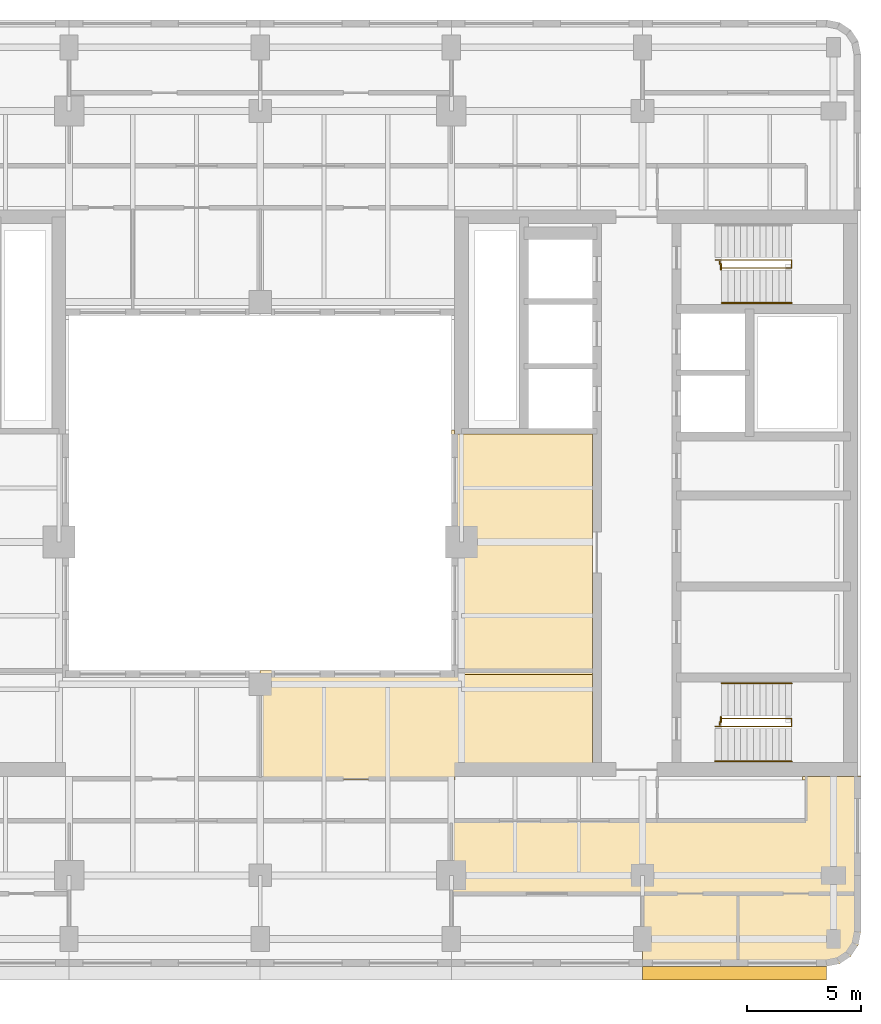
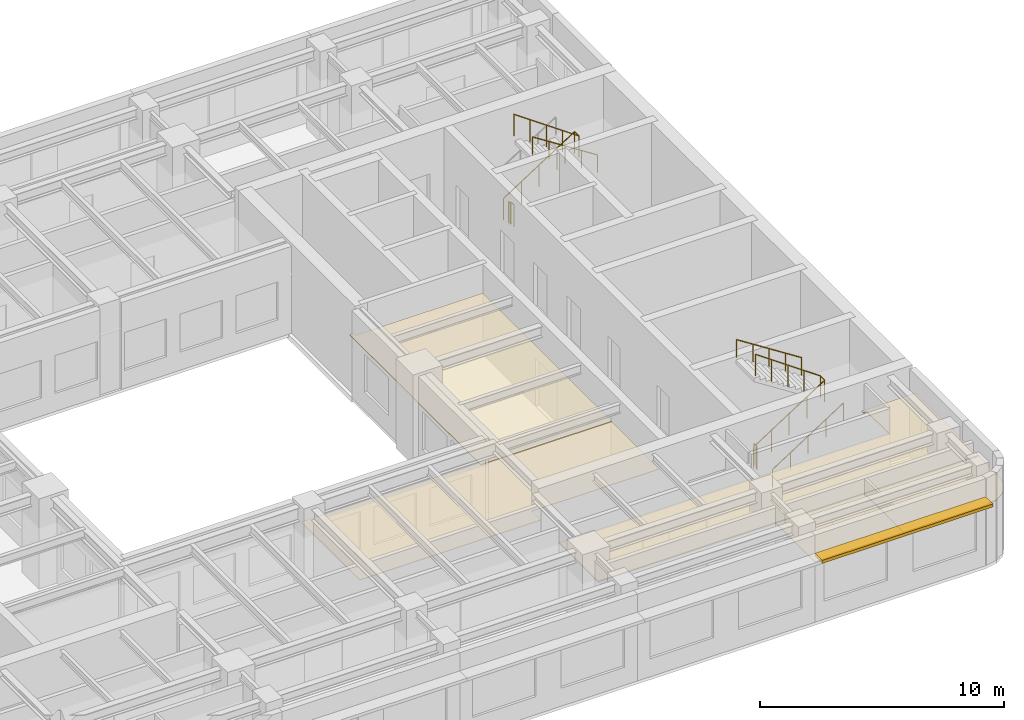
# One storey, part 10 of 11: 7 railings, 5 coverings, 1 shading device.
"""IFC4 building model written with IfcOpenShell, lengths in metres."""

from ifc_helpers import new_model, si_unit, direction, frame, origin, origin_2d, place, context, subcontext, project, spatial, polyline, rectangle, circle, outline, extrude, material, layer, layer_set, type_object, element, save


model = new_model("IFC4")

# Units and contexts
model_context = context("Model", 3, precision=1e-05, world=origin(), true_north=direction((0.0, 1.0)))
body_context = subcontext(model_context, "Body", "Model", "MODEL_VIEW")
ifc_project = project(units=[si_unit("LENGTHUNIT", "METRE"), si_unit("AREAUNIT", "SQUARE_METRE"), si_unit("VOLUMEUNIT", "CUBIC_METRE"), si_unit("PLANEANGLEUNIT", "RADIAN"), si_unit("MASSUNIT", "GRAM", prefix="KILO")], contexts=[model_context])

# Site, building, storey
site_placement = place(None, origin())
site = spatial("IfcSite", under=ifc_project, at=site_placement, CompositionType="ELEMENT")
building_placement = place(site_placement, origin())
building = spatial("IfcBuilding", under=site, at=building_placement, Name="Claustro Exchange Tower", CompositionType="ELEMENT")
storey_placement = place(building_placement, frame((0.0, 0.0, 259.199951171875)))
storey = spatial("IfcBuildingStorey", under=building, at=storey_placement, Name="L59", CompositionType="ELEMENT", Elevation=259.199951171875)

# Coverings
ifc_material_1 = material(Name="Gypsum board ceiling", Category="gypsum board")
ifc_layer_1 = layer(ifc_material_1, 0.02490234375)
ifc_layer_set_1 = layer_set([ifc_layer_1], Name="Gypsum board ceiling")
covering_type_1 = type_object("IfcCoveringType", Name="CL2 plasterboard ceiling", PredefinedType="CEILING", material=ifc_layer_set_1)
covering_1_placement = place(storey_placement, frame((0.0, 0.0, 3.0)))
element("IfcCovering", 1, at=covering_1_placement, inside=storey, type_object=covering_type_1, Name="Ceiling CL2 L59-06", PredefinedType="CEILING", context=body_context, shape_type="SweptSolid", body=[
    extrude(outline(polyline([(42.0, 4.39990234375), (46.199951171875, 4.39990234375), (46.199951171875, 7.60009765625), (42.0, 7.60009765625), (42.0, 4.39990234375)])), origin(), (0.0, 0.0, 1.0), 0.025146484375),
])
covering_2_placement = place(storey_placement, frame((0.0, 0.0, 3.0)))
element("IfcCovering", 2, at=covering_2_placement, inside=storey, type_object=covering_type_1, Name="Ceiling CL2 L59-07", PredefinedType="CEILING", context=body_context, shape_type="SweptSolid", body=[
    extrude(outline(polyline([(51.60009765625, 5.89990234375), (51.60009765625, 7.60009765625), (46.199951171875, 7.60009765625), (46.199951171875, 4.39990234375), (50.10009765625, 4.39990234375), (50.674072265625, 4.51416015625), (51.16064453125, 4.83935546875), (51.48583984375, 5.325927734375), (51.60009765625, 5.89990234375)])), origin(), (0.0, 0.0, 1.0), 0.025146484375),
])
covering_3_placement = place(storey_placement, frame((0.0, 0.0, 3.0)))
element("IfcCovering", 3, at=covering_3_placement, inside=storey, type_object=covering_type_1, Name="Ceiling CL2 L59-14", PredefinedType="CEILING", context=body_context, shape_type="SweptSolid", body=[
    extrude(outline(polyline([(39.800048828125, 13.330078125), (39.800048828125, 17.570068359375), (33.60009765625, 17.570068359375), (33.60009765625, 17.39990234375), (25.199951171875, 17.39990234375), (25.199951171875, 12.60009765625), (33.77001953125, 12.60009765625), (33.77001953125, 13.330078125), (39.800048828125, 13.330078125)])), origin(), (0.0, 0.0, 1.0), 0.025146484375),
])
ifc_material_2 = material(Name="Oak slats on acoustic backing", Category="wood")
ifc_layer_2 = layer(ifc_material_2, 0.050048828125)
ifc_layer_set_2 = layer_set([ifc_layer_2], Name="Oak slats on acoustic backing")
covering_type_2 = type_object("IfcCoveringType", Name="CL3 timber slat ceiling", PredefinedType="CEILING", material=ifc_layer_set_2)
covering_4_placement = place(storey_placement, frame((0.0, 0.0, 3.0)))
element("IfcCovering", 4, at=covering_4_placement, inside=storey, type_object=covering_type_2, Name="Ceiling CL3 L59-10", PredefinedType="CEILING", context=body_context, shape_type="SweptSolid", body=[
    extrude(outline(polyline([(51.60009765625, 7.60009765625), (51.60009765625, 12.77001953125), (51.449951171875, 12.77001953125), (51.449951171875, 12.75), (49.030029296875, 12.75), (49.030029296875, 12.60009765625), (49.199951171875, 12.60009765625), (49.199951171875, 10.800048828125), (33.60009765625, 10.800048828125), (33.60009765625, 7.60009765625), (51.60009765625, 7.60009765625)])), origin(), (0.0, 0.0, 1.0), 0.050048828125),
])
covering_5_placement = place(storey_placement, frame((0.0, 0.0, 3.0)))
element("IfcCovering", 5, at=covering_5_placement, inside=storey, type_object=covering_type_2, Name="Ceiling CL3 L59-16", PredefinedType="CEILING", context=body_context, shape_type="SweptSolid", body=[
    extrude(outline(polyline([(33.60009765625, 27.969970703125), (33.60009765625, 17.22998046875), (39.800048828125, 17.22998046875), (39.800048828125, 27.800048828125), (33.75, 27.800048828125), (33.75, 27.969970703125), (33.60009765625, 27.969970703125)])), origin(), (0.0, 0.0, 1.0), 0.050048828125),
])

# Railings
ifc_material_3 = material(Name="Steel balustrade, painted", Category="steel")
railing_type_1 = type_object("IfcRailingType", Name="GR2 1100 steel stair guard", PredefinedType="GUARDRAIL", material=ifc_material_3)
railing_1_placement = place(storey_placement, frame((45.199951171875, 14.949951171875, 0.179931640625)))
element("IfcRailing", 6, at=railing_1_placement, inside=storey, type_object=railing_type_1, Name="Stair well guard GR2 stair STEA L59", PredefinedType="GUARDRAIL", context=body_context, shape_type="SweptSolid", body=[
    extrude(circle(Radius=0.02392578125, at=origin_2d()), frame((0.0, 0.0, 1.076171875), z_axis=(0.8411685463, 0.0, 0.540773036232), x_axis=(0.0, 1.0, 0.0)), (0.0, 0.0, 1.0), 3.99462890625),
    extrude(circle(Radius=0.02392578125, at=origin_2d()), frame((3.360107421875, 0.0, 3.236328125), z_axis=(0.0, 1.0, 0.0), x_axis=(-1.0, 0.0, 0.0)), (0.0, 0.0, 1.0), 0.35009765625),
    extrude(circle(Radius=0.02392578125, at=origin_2d()), frame((3.360107421875, 0.35009765625, 3.236328125), z_axis=(-0.8187499073, 0.0, 0.574150319426), x_axis=(0.0, -1.0, 0.0)), (0.0, 0.0, 1.0), 3.761962890625),
    extrude(circle(Radius=0.02099609375, at=origin_2d()), origin(), (0.0, 0.0, 1.0), 1.052001953125),
    extrude(circle(Radius=0.02099609375, at=origin_2d()), frame((0.840087890625, 0.0, 0.5400390625)), (0.0, 0.0, 1.0), 1.052001953125),
    extrude(circle(Radius=0.02099609375, at=origin_2d()), frame((1.68017578125, 0.0, 1.080078125)), (0.0, 0.0, 1.0), 1.052001953125),
    extrude(circle(Radius=0.02099609375, at=origin_2d()), frame((2.52001953125, 0.0, 1.6201171875)), (0.0, 0.0, 1.0), 1.052001953125),
    extrude(circle(Radius=0.02099609375, at=origin_2d()), frame((3.360107421875, 0.0, 2.16015625)), (0.0, 0.0, 1.0), 1.052001953125),
    extrude(circle(Radius=0.02099609375, at=origin_2d()), frame((3.360107421875, 0.35009765625, 2.16015625)), (0.0, 0.0, 1.0), 1.052001953125),
    extrude(circle(Radius=0.02099609375, at=origin_2d()), frame((2.590087890625, 0.35009765625, 2.7001953125)), (0.0, 0.0, 1.0), 1.052001953125),
    extrude(circle(Radius=0.02099609375, at=origin_2d()), frame((1.820068359375, 0.35009765625, 3.240234375)), (0.0, 0.0, 1.0), 1.052001953125),
    extrude(circle(Radius=0.02099609375, at=origin_2d()), frame((1.050048828125, 0.35009765625, 3.780029296875)), (0.0, 0.0, 1.0), 1.052001953125),
    extrude(circle(Radius=0.02099609375, at=origin_2d()), frame((0.280029296875, 0.35009765625, 4.320068359375)), (0.0, 0.0, 1.0), 1.052001953125),
])
railing_2_placement = place(storey_placement, frame((45.39990234375, 15.02001953125, 0.0)))
element("IfcRailing", 7, at=railing_2_placement, inside=storey, type_object=railing_type_1, Name="Stair guard GR2 STEA L59", PredefinedType="GUARDRAIL", context=body_context, shape_type="SweptSolid", body=[
    extrude(circle(Radius=0.02392578125, at=origin_2d()), frame((0.0, 0.0, 1.076171875), z_axis=(0.0, 1.0, 0.0), x_axis=(-1.0, 0.0, 0.0)), (0.0, 0.0, 1.0), 0.10498046875),
    extrude(circle(Radius=0.02392578125, at=origin_2d()), frame((0.0, 0.10498046875, 1.076171875), z_axis=(1.0, 0.0, 0.0), x_axis=(0.0, 1.0, 0.0)), (0.0, 0.0, 1.0), 0.05517578125),
    extrude(circle(Radius=0.02392578125, at=origin_2d()), frame((0.05517578125, 0.10498046875, 1.076171875), z_axis=(0.0, 1.0, 0.0), x_axis=(-1.0, 0.0, 0.0)), (0.0, 0.0, 1.0), 0.2548828125),
    extrude(circle(Radius=0.02099609375, at=origin_2d()), origin(), (0.0, 0.0, 1.0), 1.052001953125),
    extrude(circle(Radius=0.02099609375, at=origin_2d()), frame((0.0, 0.10498046875, 0.0)), (0.0, 0.0, 1.0), 1.052001953125),
    extrude(circle(Radius=0.02099609375, at=origin_2d()), frame((0.05517578125, 0.10498046875, 0.0)), (0.0, 0.0, 1.0), 1.052001953125),
    extrude(circle(Radius=0.02099609375, at=origin_2d()), frame((0.05517578125, 0.35986328125, 0.0)), (0.0, 0.0, 1.0), 1.052001953125),
])
railing_3_placement = place(storey_placement, frame((45.199951171875, 35.449951171875, 0.179931640625)))
element("IfcRailing", 8, at=railing_3_placement, inside=storey, type_object=railing_type_1, Name="Stair well guard GR2 stair STEB L59", PredefinedType="GUARDRAIL", context=body_context, shape_type="SweptSolid", body=[
    extrude(circle(Radius=0.02392578125, at=origin_2d()), frame((0.0, 0.0, 1.076171875), z_axis=(0.8411685463, 0.0, 0.540773036232), x_axis=(0.0, 1.0, 0.0)), (0.0, 0.0, 1.0), 3.99462890625),
    extrude(circle(Radius=0.02392578125, at=origin_2d()), frame((3.360107421875, 0.0, 3.236328125), z_axis=(0.0, -1.0, 0.0), x_axis=(1.0, 0.0, 0.0)), (0.0, 0.0, 1.0), 0.349853515625),
    extrude(circle(Radius=0.02392578125, at=origin_2d()), frame((3.360107421875, -0.349853515625, 3.236328125), z_axis=(-0.8187499073, 0.0, 0.574150319426), x_axis=(0.0, -1.0, 0.0)), (0.0, 0.0, 1.0), 3.761962890625),
    extrude(circle(Radius=0.02099609375, at=origin_2d()), origin(), (0.0, 0.0, 1.0), 1.052001953125),
    extrude(circle(Radius=0.02099609375, at=origin_2d()), frame((0.840087890625, 0.0, 0.5400390625)), (0.0, 0.0, 1.0), 1.052001953125),
    extrude(circle(Radius=0.02099609375, at=origin_2d()), frame((1.68017578125, 0.0, 1.080078125)), (0.0, 0.0, 1.0), 1.052001953125),
    extrude(circle(Radius=0.02099609375, at=origin_2d()), frame((2.52001953125, 0.0, 1.6201171875)), (0.0, 0.0, 1.0), 1.052001953125),
    extrude(circle(Radius=0.02099609375, at=origin_2d()), frame((3.360107421875, 0.0, 2.16015625)), (0.0, 0.0, 1.0), 1.052001953125),
    extrude(circle(Radius=0.02099609375, at=origin_2d()), frame((3.360107421875, -0.349853515625, 2.16015625)), (0.0, 0.0, 1.0), 1.052001953125),
    extrude(circle(Radius=0.02099609375, at=origin_2d()), frame((2.590087890625, -0.349853515625, 2.7001953125)), (0.0, 0.0, 1.0), 1.052001953125),
    extrude(circle(Radius=0.02099609375, at=origin_2d()), frame((1.820068359375, -0.349853515625, 3.240234375)), (0.0, 0.0, 1.0), 1.052001953125),
    extrude(circle(Radius=0.02099609375, at=origin_2d()), frame((1.050048828125, -0.349853515625, 3.780029296875)), (0.0, 0.0, 1.0), 1.052001953125),
    extrude(circle(Radius=0.02099609375, at=origin_2d()), frame((0.280029296875, -0.349853515625, 4.320068359375)), (0.0, 0.0, 1.0), 1.052001953125),
])
railing_4_placement = place(storey_placement, frame((45.39990234375, 35.3798828125, 0.0)))
element("IfcRailing", 9, at=railing_4_placement, inside=storey, type_object=railing_type_1, Name="Stair guard GR2 STEB L59", PredefinedType="GUARDRAIL", context=body_context, shape_type="SweptSolid", body=[
    extrude(circle(Radius=0.02392578125, at=origin_2d()), frame((0.0, 0.0, 1.076171875), z_axis=(0.0, -1.0, 0.0), x_axis=(1.0, 0.0, 0.0)), (0.0, 0.0, 1.0), 0.10498046875),
    extrude(circle(Radius=0.02392578125, at=origin_2d()), frame((0.0, -0.10498046875, 1.076171875), z_axis=(1.0, 0.0, 0.0), x_axis=(0.0, 1.0, 0.0)), (0.0, 0.0, 1.0), 0.05517578125),
    extrude(circle(Radius=0.02392578125, at=origin_2d()), frame((0.05517578125, -0.10498046875, 1.076171875), z_axis=(0.0, -1.0, 0.0), x_axis=(1.0, 0.0, 0.0)), (0.0, 0.0, 1.0), 0.2548828125),
    extrude(circle(Radius=0.02099609375, at=origin_2d()), origin(), (0.0, 0.0, 1.0), 1.052001953125),
    extrude(circle(Radius=0.02099609375, at=origin_2d()), frame((0.0, -0.10498046875, 0.0)), (0.0, 0.0, 1.0), 1.052001953125),
    extrude(circle(Radius=0.02099609375, at=origin_2d()), frame((0.05517578125, -0.10498046875, 0.0)), (0.0, 0.0, 1.0), 1.052001953125),
    extrude(circle(Radius=0.02099609375, at=origin_2d()), frame((0.05517578125, -0.35986328125, 0.0)), (0.0, 0.0, 1.0), 1.052001953125),
])
ifc_material_4 = material(Name="Stainless steel tube", Category="steel")
railing_type_2 = type_object("IfcRailingType", Name="HR1 900 stair handrail", PredefinedType="HANDRAIL", material=ifc_material_4)
railing_5_placement = place(storey_placement, frame((45.199951171875, 13.409912109375, 0.179931640625)))
element("IfcRailing", 10, at=railing_5_placement, inside=storey, type_object=railing_type_2, Name="Handrail HR1 stair STEA L59", PredefinedType="HANDRAIL", context=body_context, shape_type="SweptSolid", body=[
    extrude(circle(Radius=0.02392578125, at=origin_2d()), frame((0.0, 0.0, 0.8759765625), z_axis=(0.8411685463, 0.0, 0.540773036232), x_axis=(0.0, 1.0, 0.0)), (0.0, 0.0, 1.0), 3.99462890625),
    extrude(circle(Radius=0.02099609375, at=origin_2d()), origin(), (0.0, 0.0, 1.0), 0.851806640625),
    extrude(circle(Radius=0.02099609375, at=origin_2d()), frame((0.840087890625, 0.0, 0.5400390625)), (0.0, 0.0, 1.0), 0.851806640625),
    extrude(circle(Radius=0.02099609375, at=origin_2d()), frame((1.68017578125, 0.0, 1.080078125)), (0.0, 0.0, 1.0), 0.851806640625),
    extrude(circle(Radius=0.02099609375, at=origin_2d()), frame((2.52001953125, 0.0, 1.6201171875)), (0.0, 0.0, 1.0), 0.851806640625),
    extrude(circle(Radius=0.02099609375, at=origin_2d()), frame((3.360107421875, 0.0, 2.16015625)), (0.0, 0.0, 1.0), 0.851806640625),
])
for number, where, name in (
    (11, (48.56005859375, 16.840087890625, 2.52001953125), "Handrail HR1 stair STEA L59"),
    (12, (48.56005859375, 33.56005859375, 2.52001953125), "Handrail HR1 stair STEB L59"),
):
    element("IfcRailing", number, at=place(storey_placement, frame(where)), inside=storey, type_object=railing_type_2, Name=name, PredefinedType="HANDRAIL", context=body_context, shape_type="SweptSolid", body=[
        extrude(circle(Radius=0.02392578125, at=origin_2d()), frame((0.0, 0.0, 0.8759765625), z_axis=(-0.84118714077, 0.0, 0.540744111576), x_axis=(0.0, -1.0, 0.0)), (0.0, 0.0, 1.0), 3.66162109375),
        extrude(circle(Radius=0.02099609375, at=origin_2d()), origin(), (0.0, 0.0, 1.0), 0.851806640625),
        extrude(circle(Radius=0.02099609375, at=origin_2d()), frame((-0.77001953125, 0.0, 0.4951171875)), (0.0, 0.0, 1.0), 0.851806640625),
        extrude(circle(Radius=0.02099609375, at=origin_2d()), frame((-1.5400390625, 0.0, 0.989990234375)), (0.0, 0.0, 1.0), 0.851806640625),
        extrude(circle(Radius=0.02099609375, at=origin_2d()), frame((-2.31005859375, 0.0, 1.48486328125)), (0.0, 0.0, 1.0), 0.851806640625),
        extrude(circle(Radius=0.02099609375, at=origin_2d()), frame((-3.080078125, 0.0, 1.97998046875)), (0.0, 0.0, 1.0), 0.851806640625),
    ])

# Shading device
ifc_material_5 = material(Name="Concrete HA-40 (C40/50), precast, white cement, acid-etched", Category="concrete")
ifc_layer_3 = layer(ifc_material_5, 0.14990234375)
ifc_layer_set_3 = layer_set([ifc_layer_3], Name="Concrete HA-40 (C40/50), precast, white cement, acid-etched")
shading_device_type = type_object("IfcShadingDeviceType", Name="SS1 600 precast concrete SUNSHADE", PredefinedType="SHUTTER", material=ifc_layer_set_3)
shading_device_placement = place(storey_placement, frame((46.04248046875, 4.10009765625, 3.300048828125), z_axis=(0.0, 0.0, 1.0), x_axis=(-1.0, 0.0, 0.0)))
element("IfcShadingDevice", 13, at=shading_device_placement, inside=storey, type_object=shading_device_type, Name="Precast SUNSHADE SS1 L59", PredefinedType="SHUTTER", context=body_context, shape_type="SweptSolid", body=[
    extrude(rectangle(XDim=8.085205078125, YDim=0.60009765625, at=origin_2d()), origin(), (0.0, 0.0, 1.0), 0.14990234375),
])

save(model, "model.ifc")
